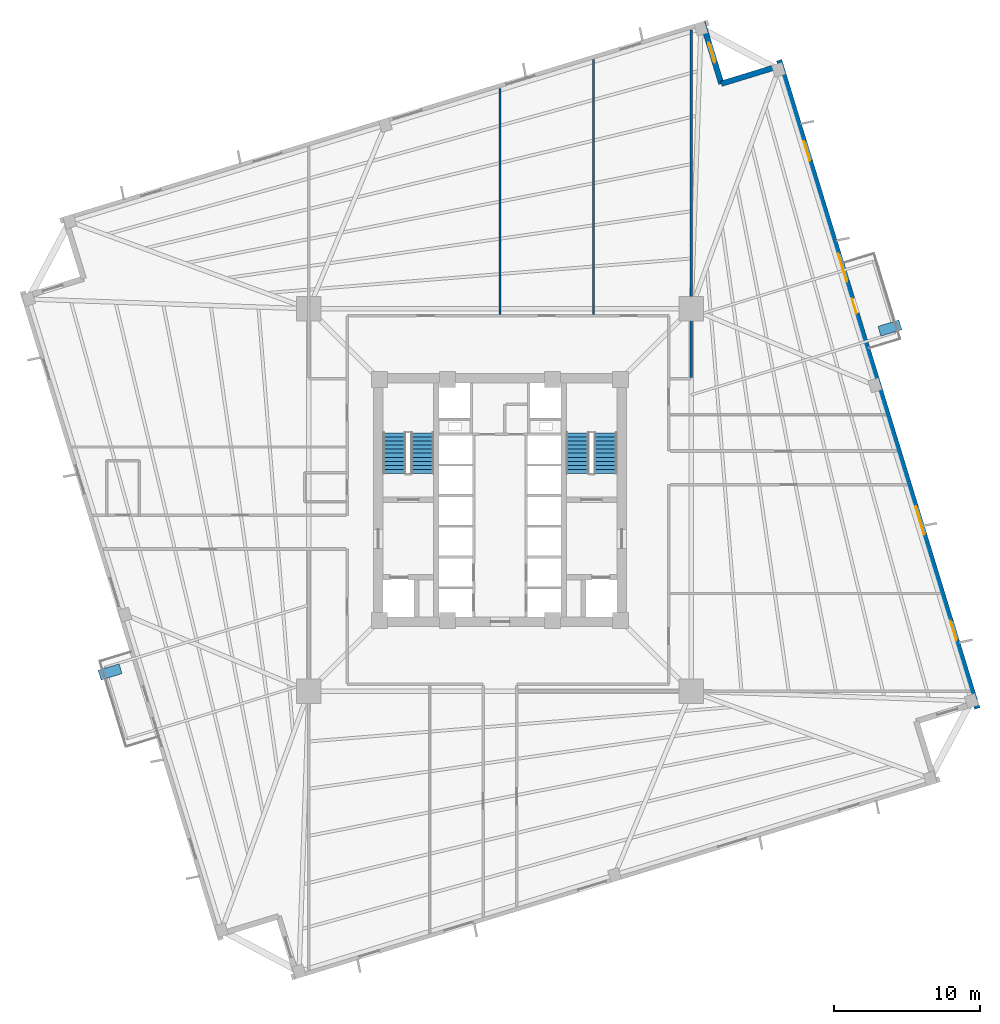
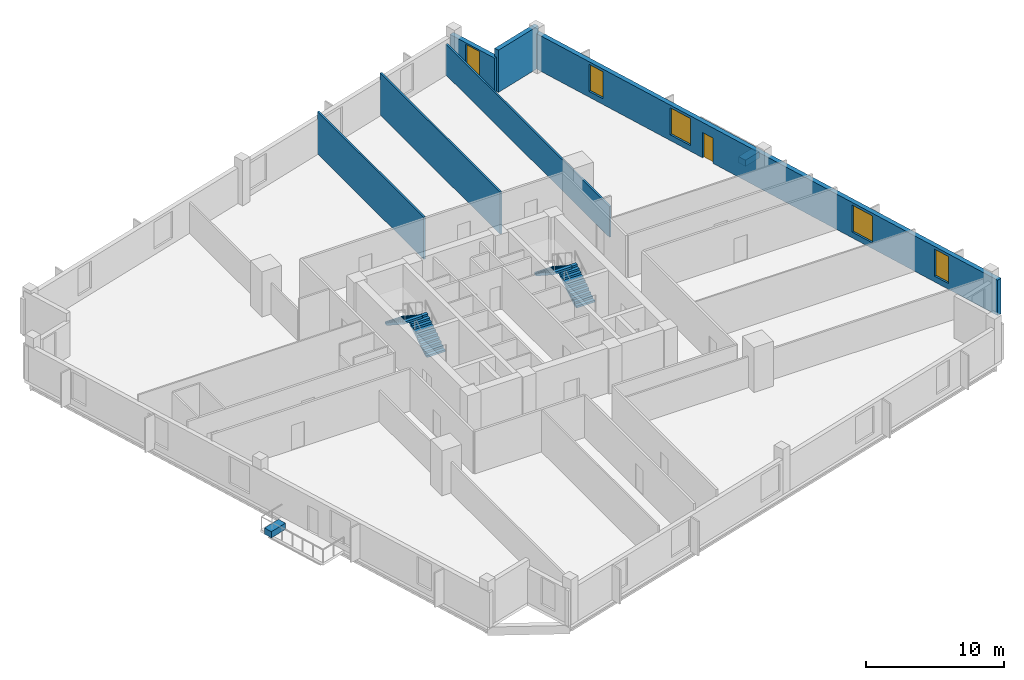
# One storey, part 6 of 9: 6 walls, 5 windows, 4 stair flights, 2 discrete accessories, 1 door, 6 openings, 2 elements without a shape of their own.
"""IFC4 building model written with IfcOpenShell, lengths in metres."""

from ifc_helpers import new_model, si_unit, direction, frame, frame_2d, origin, origin_2d, place, context, subcontext, project, spatial, polyline, rectangle, outline, extrude, source, transform, mapped, material, layer, layer_set, type_object, element, fill, aggregate, save


model = new_model("IFC4")

# Units and contexts
model_context = context("Model", 3, precision=1e-05, world=origin(), true_north=direction((0.0, 1.0)))
body_context = subcontext(model_context, "Body", "Model", "MODEL_VIEW")
ifc_project = project(units=[si_unit("LENGTHUNIT", "METRE"), si_unit("AREAUNIT", "SQUARE_METRE"), si_unit("VOLUMEUNIT", "CUBIC_METRE"), si_unit("PLANEANGLEUNIT", "RADIAN"), si_unit("MASSUNIT", "GRAM", prefix="KILO"), si_unit("THERMODYNAMICTEMPERATUREUNIT", "KELVIN")], contexts=[model_context])

# Site, building, storey
site_placement = place(None, origin())
site = spatial("IfcSite", under=ifc_project, at=site_placement, CompositionType="ELEMENT")
building_placement = place(site_placement, origin())
building = spatial("IfcBuilding", under=site, at=building_placement, Name="Kosmvard Interchange Tower", CompositionType="ELEMENT")
storey_placement = place(building_placement, frame((0.0, 0.0, 119.199951171875)))
storey = spatial("IfcBuildingStorey", under=building, at=storey_placement, Name="L28", CompositionType="ELEMENT", Elevation=119.199951171875)

# Walls
ifc_material_1 = material(Name="Acoustic gypsum partition system")
ifc_layer_1 = layer(ifc_material_1, 0.14990234375, Name="Acoustic gypsum partition system")
ifc_layer_set_1 = layer_set([ifc_layer_1], Name="Acoustic gypsum partition system")
wall_type_1 = type_object("IfcWallType", Name="Acoustic Suite & Meeting Partition 150", PredefinedType="PARTITIONING", material=ifc_layer_set_1)
wall_1_placement = place(storey_placement, frame((0.0, 12.695068359375, 0.0), z_axis=(0.0, 0.0, 1.0), x_axis=(0.0, 1.0, 0.0)))
element("IfcWall", 1, at=wall_1_placement, inside=storey, type_object=wall_type_1, Name="L28 Room Partition 03.1", PredefinedType="PARTITIONING", context=body_context, shape_type="SweptSolid", body=[
    extrude(rectangle(XDim=15.470703125, YDim=0.14990234375, at=frame_2d((7.7353515625, 0.0))), origin(), (0.0, 0.0, 1.0), 3.739990234375),
])
wall_2_placement = place(storey_placement, frame((6.39990234375, 12.695068359375, 0.0), z_axis=(0.0, 0.0, 1.0), x_axis=(0.0, 1.0, 0.0)))
element("IfcWall", 2, at=wall_2_placement, inside=storey, type_object=wall_type_1, Name="L28 Room Partition 04.1", PredefinedType="PARTITIONING", context=body_context, shape_type="SweptSolid", body=[
    extrude(rectangle(XDim=17.42724609375, YDim=0.14990234375, at=frame_2d((8.713623046875, 0.0))), origin(), (0.0, 0.0, 1.0), 3.739990234375),
])
wall_3_placement = place(storey_placement, frame((13.0810546875, 8.375, 0.0), z_axis=(0.0, 0.0, 1.0), x_axis=(0.0, 1.0, 0.0)))
element("IfcWall", 3, at=wall_3_placement, inside=storey, type_object=wall_type_1, Name="L28 Room Partition 06.1", PredefinedType="PARTITIONING", context=body_context, shape_type="SweptSolid", body=[
    extrude(rectangle(XDim=23.7900390625, YDim=0.14990234375, at=frame_2d((11.89501953125, 0.0))), origin(), (0.0, 0.0, 1.0), 2.73193359375),
])

# Wall, openings, door, windows
ifc_material_2 = material(Name="Precast concrete C45/55", Category="concrete")
ifc_layer_2 = layer(ifc_material_2, 0.3798828125, Name="Precast concrete C45/55")
ifc_layer_set_2 = layer_set([ifc_layer_2], Name="Precast concrete C45/55")
wall_type_2 = type_object("IfcWallType", Name="Lower Tower Precast Pier Wall 380 C45/55", PredefinedType="STANDARD", material=ifc_layer_set_2)
wall_4_placement = place(storey_placement, frame((32.65771484375, -14.26513671875, 0.0), z_axis=(0.0, 0.0, 1.0), x_axis=(-0.292373127906, 0.956304320851, 0.0)))
wall_4 = element("IfcWall", 4, at=wall_4_placement, inside=storey, type_object=wall_type_2, Name="L28 Precast Facade Wall F-E", PredefinedType="STANDARD", context=body_context, shape_type="SweptSolid", body=[
    extrude(rectangle(XDim=46.380126953125, YDim=0.3798828125, at=frame_2d((23.18994140625, 0.0))), origin(), (0.0, 0.0, 1.0), 3.14013671875),
])
opening_1_placement = place(wall_4_placement, frame((28.264892578125, 0.0, 0.0)))
opening_1 = element("IfcOpeningElement", 5, at=opening_1_placement, cuts=wall_4, Name="Opening L28-BDE", PredefinedType="OPENING", context=body_context, shape_type="SweptSolid", body=[
    extrude(rectangle(XDim=1.050048828125, YDim=2.25, at=frame_2d((0.52490234375, 1.125))), frame((0.0, 0.199951171875, 0.0), z_axis=(0.0, -1.0, 0.0), x_axis=(1.0, 0.0, 0.0)), (0.0, 0.0, 1.0), 0.39990234375),
])
opening_2_placement = place(wall_4_placement, frame((4.865478515625, 0.0, 0.510009765625)))
opening_2 = element("IfcOpeningElement", 6, at=opening_2_placement, cuts=wall_4, Name="Opening L28-W06", PredefinedType="OPENING", context=body_context, shape_type="SweptSolid", body=[
    extrude(rectangle(XDim=1.39990234375, YDim=2.39990234375, at=frame_2d((0.699951171875, 1.199951171875))), frame((0.0, 0.199951171875, 0.0), z_axis=(0.0, -1.0, 0.0), x_axis=(1.0, 0.0, 0.0)), (0.0, 0.0, 1.0), 0.39990234375),
])
opening_3_placement = place(wall_4_placement, frame((12.4501953125, 0.0, 0.510009765625)))
opening_3 = element("IfcOpeningElement", 7, at=opening_3_placement, cuts=wall_4, Name="Opening L28-W07", PredefinedType="OPENING", context=body_context, shape_type="SweptSolid", body=[
    extrude(rectangle(XDim=2.0, YDim=2.39990234375, at=frame_2d((1.0, 1.199951171875))), frame((0.0, 0.199951171875, 0.0), z_axis=(0.0, -1.0, 0.0), x_axis=(1.0, 0.0, 0.0)), (0.0, 0.0, 1.0), 0.39990234375),
])
opening_4_placement = place(wall_4_placement, frame((30.538330078125, 0.0, 0.510009765625)))
opening_4 = element("IfcOpeningElement", 8, at=opening_4_placement, cuts=wall_4, Name="Opening L28-W08", PredefinedType="OPENING", context=body_context, shape_type="SweptSolid", body=[
    extrude(rectangle(XDim=2.0, YDim=2.39990234375, at=frame_2d((1.0, 1.199951171875))), frame((0.0, 0.199951171875, 0.0), z_axis=(0.0, -1.0, 0.0), x_axis=(1.0, 0.0, 0.0)), (0.0, 0.0, 1.0), 0.39990234375),
])
opening_5_placement = place(wall_4_placement, frame((39.186767578125, 0.0, 0.510009765625)))
opening_5 = element("IfcOpeningElement", 9, at=opening_5_placement, cuts=wall_4, Name="Opening L28-W09", PredefinedType="OPENING", context=body_context, shape_type="SweptSolid", body=[
    extrude(rectangle(XDim=1.39990234375, YDim=2.39990234375, at=frame_2d((0.699951171875, 1.199951171875))), frame((0.0, 0.199951171875, 0.0), z_axis=(0.0, -1.0, 0.0), x_axis=(1.0, 0.0, 0.0)), (0.0, 0.0, 1.0), 0.39990234375),
])
ifc_material_3 = material(Name="Anodised aluminium and safety glass", Category="aluminium")
door_type = type_object("IfcDoorType", Name="Tree-Balcony Glazed Door 1050x2250", OperationType="NOTDEFINED", PredefinedType="DOOR", material=ifc_material_3)
shared_shape_1 = source(origin(), body_context, "Body", "SweptSolid", [
    extrude(rectangle(XDim=1.050048828125, YDim=2.25, at=frame_2d((0.52490234375, 1.125))), frame((0.0, 0.02490234375, 0.0), z_axis=(0.0, -1.0, 0.0), x_axis=(1.0, 0.0, 0.0)), (0.0, 0.0, 1.0), 0.050048828125),
])
door_placement = place(opening_1_placement, origin())
door = element("IfcDoor", 10, at=door_placement, inside=storey, type_object=door_type, Name="L28 Tree-Balcony Door BAL-L28-E", OperationType="SINGLE_SWING_LEFT", OverallHeight=2.25, OverallWidth=1.050048828125, PredefinedType="DOOR", context=body_context, shape_type="MappedRepresentation", body=[
    mapped(shared_shape_1, transform((0.0, 0.0, 0.0), scale=1.0)),
])
fill(opening_1, door)
ifc_material_4 = material(Name="Low-E solar-control double glazing", Category="glass")
window_type_1 = type_object("IfcWindowType", Name="Notched Corner Feature Window 1400x2400", PartitioningType="SINGLE_PANEL", PredefinedType="WINDOW", material=ifc_material_4)
shared_shape_2 = source(origin(), body_context, "Body", "SweptSolid", [
    extrude(rectangle(XDim=1.39990234375, YDim=2.39990234375, at=frame_2d((0.699951171875, 1.199951171875))), frame((0.0, 0.030029296875, 0.0), z_axis=(0.0, -1.0, 0.0), x_axis=(1.0, 0.0, 0.0)), (0.0, 0.0, 1.0), 0.06005859375),
])
window_1_placement = place(opening_2_placement, origin())
window_1 = element("IfcWindow", 11, at=window_1_placement, inside=storey, type_object=window_type_1, Name="L28 Facade Punched Window 06", OverallHeight=2.39990234375, OverallWidth=1.39990234375, PartitioningType="SINGLE_PANEL", PredefinedType="WINDOW", context=body_context, shape_type="MappedRepresentation", body=[
    mapped(shared_shape_2, transform((0.0, 0.0, 0.0), scale=1.0)),
])
fill(opening_2, window_1)
window_2_placement = place(opening_5_placement, origin())
window_2 = element("IfcWindow", 12, at=window_2_placement, inside=storey, type_object=window_type_1, Name="L28 Facade Punched Window 09", OverallHeight=2.39990234375, OverallWidth=1.39990234375, PartitioningType="SINGLE_PANEL", PredefinedType="WINDOW", context=body_context, shape_type="MappedRepresentation", body=[
    mapped(shared_shape_2, transform((0.0, 0.0, 0.0), scale=1.0)),
])
fill(opening_5, window_2)
window_type_2 = type_object("IfcWindowType", Name="Zone 2 Office Punched Window 2000x2400", PartitioningType="SINGLE_PANEL", PredefinedType="WINDOW", material=ifc_material_4)
shared_shape_3 = source(origin(), body_context, "Body", "SweptSolid", [
    extrude(rectangle(XDim=2.0, YDim=2.39990234375, at=frame_2d((1.0, 1.199951171875))), frame((0.0, 0.030029296875, 0.0), z_axis=(0.0, -1.0, 0.0), x_axis=(1.0, 0.0, 0.0)), (0.0, 0.0, 1.0), 0.06005859375),
])
window_3_placement = place(opening_3_placement, origin())
window_3 = element("IfcWindow", 13, at=window_3_placement, inside=storey, type_object=window_type_2, Name="L28 Facade Punched Window 07", OverallHeight=2.39990234375, OverallWidth=2.0, PartitioningType="SINGLE_PANEL", PredefinedType="WINDOW", context=body_context, shape_type="MappedRepresentation", body=[
    mapped(shared_shape_3, transform((0.0, 0.0, 0.0), scale=1.0)),
])
fill(opening_3, window_3)
window_4_placement = place(opening_4_placement, origin())
window_4 = element("IfcWindow", 14, at=window_4_placement, inside=storey, type_object=window_type_2, Name="L28 Facade Punched Window 08", OverallHeight=2.39990234375, OverallWidth=2.0, PartitioningType="SINGLE_PANEL", PredefinedType="WINDOW", context=body_context, shape_type="MappedRepresentation", body=[
    mapped(shared_shape_3, transform((0.0, 0.0, 0.0), scale=1.0)),
])
fill(opening_4, window_4)

# Wall
wall_5_placement = place(storey_placement, frame((19.20849609375, 29.724853515625, 0.0), z_axis=(0.0, 0.0, 1.0), x_axis=(-0.956312764915, -0.292345507338, 0.0)))
element("IfcWall", 15, at=wall_5_placement, inside=storey, type_object=wall_type_2, Name="L28 Precast Facade Wall N-NE1", PredefinedType="STANDARD", context=body_context, shape_type="SweptSolid", body=[
    extrude(rectangle(XDim=4.249755859375, YDim=0.3798828125, at=frame_2d((2.125, 0.0))), origin(), (0.0, 0.0, 1.0), 3.739990234375),
])

# Wall, opening, window
wall_6_placement = place(storey_placement, frame((15.144287109375, 28.482421875, 0.0), z_axis=(0.0, 0.0, 1.0), x_axis=(-0.292373601522, 0.956304176051, 0.0)))
wall_6 = element("IfcWall", 16, at=wall_6_placement, inside=storey, type_object=wall_type_2, Name="L28 Precast Facade Wall N-NE2", PredefinedType="STANDARD", context=body_context, shape_type="SweptSolid", body=[
    extrude(rectangle(XDim=4.43994140625, YDim=0.3798828125, at=frame_2d((2.219970703125, 0.0))), origin(), (0.0, 0.0, 1.0), 3.0400390625),
])
opening_6_placement = place(wall_6_placement, frame((1.52001953125, 0.0, 0.510009765625)))
opening_6 = element("IfcOpeningElement", 17, at=opening_6_placement, cuts=wall_6, Name="Opening L28-W21", PredefinedType="OPENING", context=body_context, shape_type="SweptSolid", body=[
    extrude(rectangle(XDim=1.39990234375, YDim=2.39990234375, at=frame_2d((0.699951171875, 1.199951171875))), frame((0.0, 0.199951171875, 0.0), z_axis=(0.0, -1.0, 0.0), x_axis=(1.0, 0.0, 0.0)), (0.0, 0.0, 1.0), 0.39990234375),
])
window_5_placement = place(opening_6_placement, origin())
window_5 = element("IfcWindow", 18, at=window_5_placement, inside=storey, type_object=window_type_1, Name="L28 Corner Notch Window 21", OverallHeight=2.39990234375, OverallWidth=1.39990234375, PartitioningType="SINGLE_PANEL", PredefinedType="WINDOW", context=body_context, shape_type="MappedRepresentation", body=[
    mapped(shared_shape_2, transform((0.0, 0.0, 0.0), scale=1.0)),
])
fill(opening_6, window_5)

# Stair, stair flights
ifc_material_5 = material(Name="Concrete C50/60", Category="concrete")
stair_type = type_object("IfcStairType", Name="Dog-Leg Core Exit Stair H4000 C50/60", PredefinedType="HALF_TURN_STAIR", material=ifc_material_5)
stair_1_placement = place(storey_placement, origin())
stair_1 = element("IfcStair", 19, at=stair_1_placement, inside=storey, type_object=stair_type, Name="L28 Protected Exit Stair ST-1", PredefinedType="HALF_TURN_STAIR")
stair_flight_type = type_object("IfcStairFlightType", Name="Core Stair Flight W1550 H4000 C50/60", PredefinedType="STRAIGHT", material=ifc_material_5)
shared_shape_4 = source(origin(), body_context, "Body", "SweptSolid", [
    extrude(outline(polyline([(0.0, 0.0), (0.0, 0.181884765625), (0.280029296875, 0.181884765625), (0.280029296875, 0.363525390625), (0.56005859375, 0.363525390625), (0.56005859375, 0.54541015625), (0.840087890625, 0.54541015625), (0.840087890625, 0.727294921875), (1.1201171875, 0.727294921875), (1.1201171875, 0.9091796875), (1.39990234375, 0.9091796875), (1.39990234375, 1.0908203125), (1.679931640625, 1.0908203125), (1.679931640625, 1.272705078125), (1.9599609375, 1.272705078125), (1.9599609375, 1.45458984375), (2.239990234375, 1.45458984375), (2.239990234375, 1.636474609375), (2.52001953125, 1.636474609375), (2.52001953125, 1.818115234375), (2.800048828125, 1.818115234375), (2.800048828125, 2.0), (2.800048828125, 1.62744140625), (0.293701171875, 0.0), (0.0, 0.0)])), frame((0.0, 0.77490234375, 0.0), z_axis=(0.0, -1.0, 0.0), x_axis=(1.0, 0.0, 0.0)), (0.0, 0.0, 1.0), 1.550048828125),
])
stair_flight_1_placement = place(storey_placement, frame((-5.31494140625, 1.800048828125, 0.0), z_axis=(0.0, 0.0, 1.0), x_axis=(0.0, 1.0, 0.0)))
stair_flight_1 = element("IfcStairFlight", 20, at=stair_flight_1_placement, type_object=stair_flight_type, Name="ST-1 flight 1", NumberOfRisers=11, NumberOfTreads=10, PredefinedType="STRAIGHT", RiserHeight=0.181818182, TreadLength=0.28, context=body_context, shape_type="MappedRepresentation", body=[
    mapped(shared_shape_4, transform((0.0, 0.0, 0.0), scale=1.0)),
])
stair_flight_2_placement = place(storey_placement, frame((-7.22509765625, 4.60009765625, 2.0), z_axis=(0.0, 0.0, 1.0), x_axis=(0.0, -1.0, 0.0)))
stair_flight_2 = element("IfcStairFlight", 21, at=stair_flight_2_placement, type_object=stair_flight_type, Name="ST-1 flight 2", NumberOfRisers=11, NumberOfTreads=10, PredefinedType="STRAIGHT", RiserHeight=0.181818182, TreadLength=0.28, context=body_context, shape_type="MappedRepresentation", body=[
    mapped(shared_shape_4, transform((0.0, 0.0, 0.0), scale=1.0)),
])
aggregate(stair_1, [stair_flight_1, stair_flight_2])

stair_2_placement = place(storey_placement, origin())
stair_2 = element("IfcStair", 22, at=stair_2_placement, inside=storey, type_object=stair_type, Name="L28 Protected Exit Stair ST-2", PredefinedType="HALF_TURN_STAIR")
stair_flight_3_placement = place(storey_placement, frame((7.22509765625, 1.800048828125, 0.0), z_axis=(0.0, 0.0, 1.0), x_axis=(0.0, 1.0, 0.0)))
stair_flight_3 = element("IfcStairFlight", 23, at=stair_flight_3_placement, type_object=stair_flight_type, Name="ST-2 flight 1", NumberOfRisers=11, NumberOfTreads=10, PredefinedType="STRAIGHT", RiserHeight=0.181818182, TreadLength=0.28, context=body_context, shape_type="MappedRepresentation", body=[
    mapped(shared_shape_4, transform((0.0, 0.0, 0.0), scale=1.0)),
])
stair_flight_4_placement = place(storey_placement, frame((5.31494140625, 4.60009765625, 2.0), z_axis=(0.0, 0.0, 1.0), x_axis=(0.0, -1.0, 0.0)))
stair_flight_4 = element("IfcStairFlight", 24, at=stair_flight_4_placement, type_object=stair_flight_type, Name="ST-2 flight 2", NumberOfRisers=11, NumberOfTreads=10, PredefinedType="STRAIGHT", RiserHeight=0.181818182, TreadLength=0.28, context=body_context, shape_type="MappedRepresentation", body=[
    mapped(shared_shape_4, transform((0.0, 0.0, 0.0), scale=1.0)),
])
aggregate(stair_2, [stair_flight_3, stair_flight_4])

# Discrete accessories
ifc_material_6 = material(Name="Terracotta precast planter concrete C45/55", Category="masonry")
discrete_accessory_type = type_object("IfcDiscreteAccessoryType", Name="Precast Tree-Balcony & Terrace Planter Box", PredefinedType="USERDEFINED", material=ifc_material_6)
shared_shape_5 = source(origin(), body_context, "Body", "SweptSolid", [
    extrude(rectangle(XDim=1.5, YDim=0.699951171875, at=origin_2d()), origin(), (0.0, 0.0, 1.0), 0.550048828125),
])
for number, where, z_axis, x_axis, name in (
    (25, (26.67626953125, 11.763427734375, 0.0), (0.0, 0.0, 1.0), (0.956304755963, 0.292371704723, 0.0), "L28 Balcony Tree Planter BAL-L28-E"),
    (26, (-26.67626953125, -11.763427734375, 0.0), (0.0, 0.0, 1.0), (0.956304755963, 0.292371704723, 0.0), "L28 Balcony Tree Planter BAL-L28-W"),
):
    element("IfcDiscreteAccessory", number, at=place(storey_placement, frame(where, z_axis=z_axis, x_axis=x_axis)), inside=storey, type_object=discrete_accessory_type, Name=name, ObjectType="PLANTER", PredefinedType="USERDEFINED", context=body_context, shape_type="MappedRepresentation", body=[
        mapped(shared_shape_5, transform((0.0, 0.0, 0.0), scale=1.0)),
    ])

save(model, "model.ifc")
